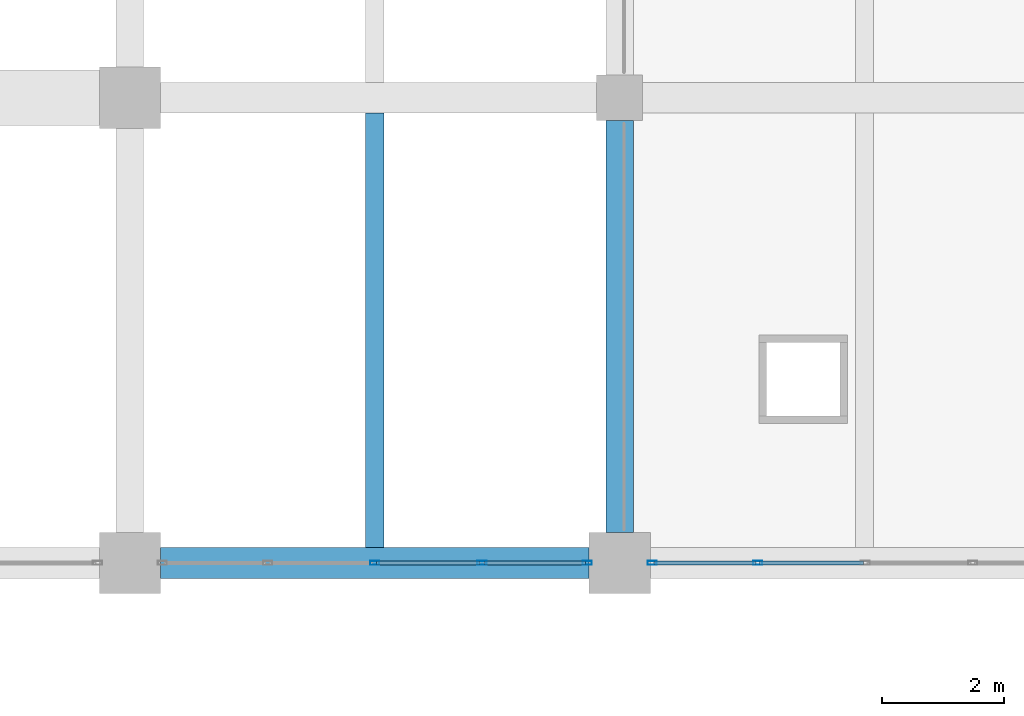
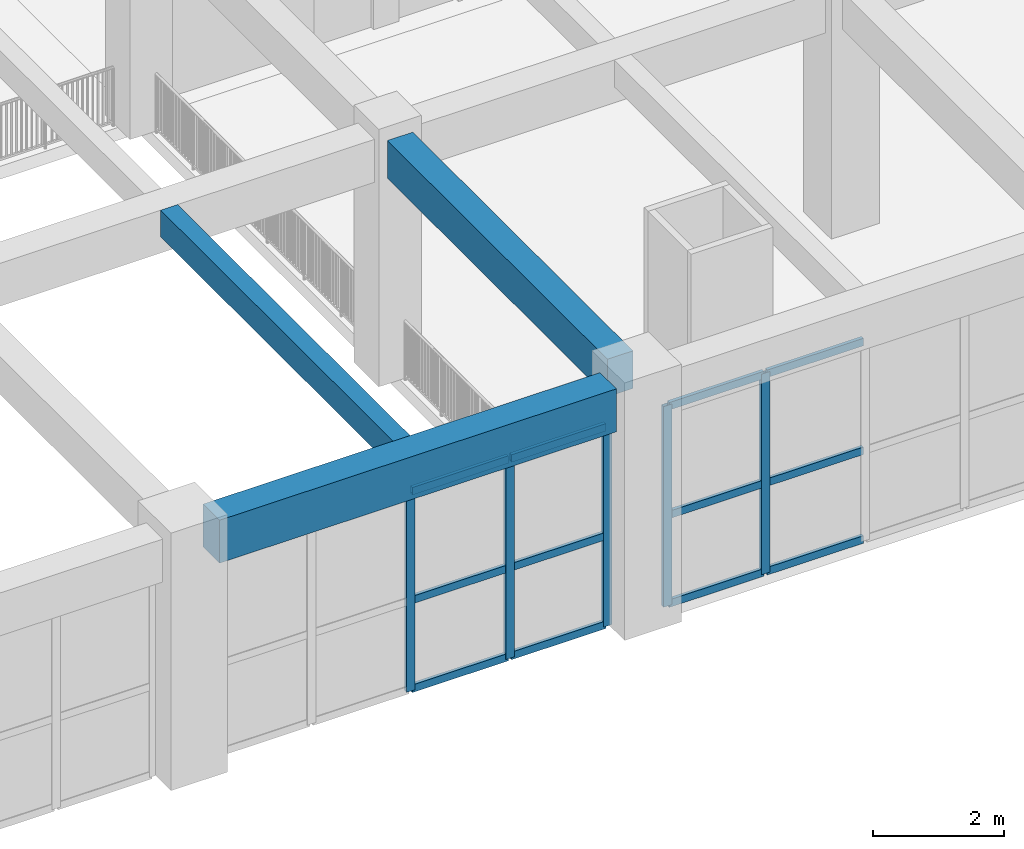
# One storey, part 23 of 101: 17 members, 3 beams, 2 elements without a shape of their own.
"""IFC4 building model written with IfcOpenShell, lengths in metres."""

from ifc_helpers import new_model, si_unit, direction, frame, origin, origin_2d, place, context, subcontext, project, spatial, rectangle, hollow_rectangle, extrude, material, material_profile, profile_set, type_object, element, aggregate, save


model = new_model("IFC4")

# Units and contexts
model_context = context("Model", 3, precision=1e-05, world=origin(), true_north=direction((0.0, 1.0)))
body_context = subcontext(model_context, "Body", "Model", "MODEL_VIEW")
ifc_project = project(units=[si_unit("LENGTHUNIT", "METRE"), si_unit("AREAUNIT", "SQUARE_METRE"), si_unit("VOLUMEUNIT", "CUBIC_METRE"), si_unit("PLANEANGLEUNIT", "RADIAN"), si_unit("MASSUNIT", "GRAM", prefix="KILO")], contexts=[model_context])

# Site, building, storey
site_placement = place(None, origin())
site = spatial("IfcSite", under=ifc_project, at=site_placement, CompositionType="ELEMENT")
building_placement = place(site_placement, origin())
building = spatial("IfcBuilding", under=site, at=building_placement, Name="Zantavel Square City Hall", CompositionType="ELEMENT")
storey_placement = place(building_placement, frame((0.0, 0.0, 5.39990234375)))
storey = spatial("IfcBuildingStorey", under=building, at=storey_placement, Name="L02", CompositionType="ELEMENT", Elevation=5.39990234375)

# Curtain wall, members
ifc_material_1 = material(Name="Anodised aluminium 6063-T6", Category="aluminium")
curtain_wall_type_1 = type_object("IfcCurtainWallType", Name="Curtain Wall TRV1 7025x3740", PredefinedType="USERDEFINED", material=ifc_material_1)
curtain_wall_1_placement = place(storey_placement, origin())
curtain_wall_1 = element("IfcCurtainWall", 1, at=curtain_wall_1_placement, inside=storey, type_object=curtain_wall_type_1, Name="L02 Glazed Curtain Wall CW-L02-045", ObjectType="GLAZED CURTAIN WALL", PredefinedType="USERDEFINED")
ifc_material_profile_1 = material_profile(ifc_material_1, hollow_rectangle(XDim=0.06494140625, YDim=0.14990234375, WallThickness=0.00390625, at=origin_2d()), Name="ALU 65x150x4")
ifc_profile_set_1 = profile_set([ifc_material_profile_1], Name="Anodised aluminium 6063-T6")
member_type_1 = type_object("IfcMemberType", Name="CW Mullion ALU 65x150x4", PredefinedType="MULLION", material=ifc_profile_set_1)
member_1_placement = place(storey_placement, frame((98.25634765625, 30.39990234375, 0.0), z_axis=(0.0, 0.0, 1.0), x_axis=(0.0, -1.0, 0.0)))
member_1 = element("IfcMember", 2, at=member_1_placement, type_object=member_type_1, Name="CW-045 mullion 4", PredefinedType="MULLION", context=body_context, shape_type="SweptSolid", body=[
    extrude(hollow_rectangle(XDim=0.06494140625, YDim=0.14990234375, WallThickness=0.00390625, at=origin_2d()), origin(), (0.0, 0.0, 1.0), 3.739990234375),
])
member_2_placement = place(storey_placement, frame((96.530029296875, 30.39990234375, 0.0), z_axis=(0.0, 0.0, 1.0), x_axis=(0.0, -1.0, 0.0)))
member_2 = element("IfcMember", 3, at=member_2_placement, type_object=member_type_1, Name="CW-045 mullion 5", PredefinedType="MULLION", context=body_context, shape_type="SweptSolid", body=[
    extrude(hollow_rectangle(XDim=0.06494140625, YDim=0.14990234375, WallThickness=0.00390625, at=origin_2d()), origin(), (0.0, 0.0, 1.0), 3.739990234375),
])

curtain_wall_type_2 = type_object("IfcCurtainWallType", Name="Curtain Wall TRV1 7000x3740", PredefinedType="USERDEFINED", material=ifc_material_1)
curtain_wall_2_placement = place(storey_placement, origin())
curtain_wall_2 = element("IfcCurtainWall", 4, at=curtain_wall_2_placement, inside=storey, type_object=curtain_wall_type_2, Name="L02 Glazed Curtain Wall CW-L02-046", ObjectType="GLAZED CURTAIN WALL", PredefinedType="USERDEFINED")
member_3_placement = place(storey_placement, frame((95.469970703125, 30.39990234375, 0.0), z_axis=(0.0, 0.0, 1.0), x_axis=(0.0, -1.0, 0.0)))
member_3 = element("IfcMember", 5, at=member_3_placement, type_object=member_type_1, Name="CW-046 mullion 1", PredefinedType="MULLION", context=body_context, shape_type="SweptSolid", body=[
    extrude(hollow_rectangle(XDim=0.06494140625, YDim=0.14990234375, WallThickness=0.00390625, at=origin_2d()), origin(), (0.0, 0.0, 1.0), 3.739990234375),
])
member_4_placement = place(storey_placement, frame((93.75, 30.39990234375, 0.0), z_axis=(0.0, 0.0, 1.0), x_axis=(0.0, -1.0, 0.0)))
member_4 = element("IfcMember", 6, at=member_4_placement, type_object=member_type_1, Name="CW-046 mullion 2", PredefinedType="MULLION", context=body_context, shape_type="SweptSolid", body=[
    extrude(hollow_rectangle(XDim=0.06494140625, YDim=0.14990234375, WallThickness=0.00390625, at=origin_2d()), origin(), (0.0, 0.0, 1.0), 3.739990234375),
])
member_5_placement = place(storey_placement, frame((92.0, 30.39990234375, 0.0), z_axis=(0.0, 0.0, 1.0), x_axis=(0.0, -1.0, 0.0)))
member_5 = element("IfcMember", 7, at=member_5_placement, type_object=member_type_1, Name="CW-046 mullion 3", PredefinedType="MULLION", context=body_context, shape_type="SweptSolid", body=[
    extrude(hollow_rectangle(XDim=0.06494140625, YDim=0.14990234375, WallThickness=0.00390625, at=origin_2d()), origin(), (0.0, 0.0, 1.0), 3.739990234375),
])

# Member
ifc_material_profile_2 = material_profile(ifc_material_1, hollow_rectangle(XDim=0.06005859375, YDim=0.139892578125, WallThickness=0.00390625, at=origin_2d()), Name="ALU 60x140x4")
ifc_profile_set_2 = profile_set([ifc_material_profile_2], Name="Anodised aluminium 6063-T6")
member_type_2 = type_object("IfcMemberType", Name="CW Transom ALU 60x140x4", PredefinedType="USERDEFINED", material=ifc_profile_set_2)
member_6_placement = place(storey_placement, frame((99.982421875, 30.39990234375, 0.030029296875), z_axis=(-1.0, 0.0, 0.0), x_axis=(0.0, -1.0, 0.0)))
member_6 = element("IfcMember", 8, at=member_6_placement, type_object=member_type_2, Name="CW-045 transom 3.1", ObjectType="TRANSOM", PredefinedType="USERDEFINED", context=body_context, shape_type="SweptSolid", body=[
    extrude(hollow_rectangle(XDim=0.06005859375, YDim=0.139892578125, WallThickness=0.00390625, at=origin_2d()), origin(), (0.0, 0.0, 1.0), 1.6962890625),
])

member_7_placement = place(storey_placement, frame((99.982421875, 30.39990234375, 1.68310546875), z_axis=(-1.0, 0.0, 0.0), x_axis=(0.0, -1.0, 0.0)))
member_7 = element("IfcMember", 9, at=member_7_placement, type_object=member_type_2, Name="CW-045 transom 3.2", ObjectType="TRANSOM", PredefinedType="USERDEFINED", context=body_context, shape_type="SweptSolid", body=[
    extrude(hollow_rectangle(XDim=0.06005859375, YDim=0.139892578125, WallThickness=0.00390625, at=origin_2d()), origin(), (0.0, 0.0, 1.0), 1.6962890625),
])

member_8_placement = place(storey_placement, frame((99.982421875, 30.39990234375, 3.710205078125), z_axis=(-1.0, 0.0, 0.0), x_axis=(0.0, -1.0, 0.0)))
member_8 = element("IfcMember", 10, at=member_8_placement, type_object=member_type_2, Name="CW-045 transom 3.3", ObjectType="TRANSOM", PredefinedType="USERDEFINED", context=body_context, shape_type="SweptSolid", body=[
    extrude(hollow_rectangle(XDim=0.06005859375, YDim=0.139892578125, WallThickness=0.00390625, at=origin_2d()), origin(), (0.0, 0.0, 1.0), 1.6962890625),
])

member_9_placement = place(storey_placement, frame((98.226318359375, 30.39990234375, 0.030029296875), z_axis=(-1.0, 0.0, 0.0), x_axis=(0.0, -1.0, 0.0)))
member_9 = element("IfcMember", 11, at=member_9_placement, type_object=member_type_2, Name="CW-045 transom 4.1", ObjectType="TRANSOM", PredefinedType="USERDEFINED", context=body_context, shape_type="SweptSolid", body=[
    extrude(hollow_rectangle(XDim=0.06005859375, YDim=0.139892578125, WallThickness=0.00390625, at=origin_2d()), origin(), (0.0, 0.0, 1.0), 1.666259765625),
])

member_10_placement = place(storey_placement, frame((98.226318359375, 30.39990234375, 1.68310546875), z_axis=(-1.0, 0.0, 0.0), x_axis=(0.0, -1.0, 0.0)))
member_10 = element("IfcMember", 12, at=member_10_placement, type_object=member_type_2, Name="CW-045 transom 4.2", ObjectType="TRANSOM", PredefinedType="USERDEFINED", context=body_context, shape_type="SweptSolid", body=[
    extrude(hollow_rectangle(XDim=0.06005859375, YDim=0.139892578125, WallThickness=0.00390625, at=origin_2d()), origin(), (0.0, 0.0, 1.0), 1.666259765625),
])

member_11_placement = place(storey_placement, frame((98.226318359375, 30.39990234375, 3.710205078125), z_axis=(-1.0, 0.0, 0.0), x_axis=(0.0, -1.0, 0.0)))
member_11 = element("IfcMember", 13, at=member_11_placement, type_object=member_type_2, Name="CW-045 transom 4.3", ObjectType="TRANSOM", PredefinedType="USERDEFINED", context=body_context, shape_type="SweptSolid", body=[
    extrude(hollow_rectangle(XDim=0.06005859375, YDim=0.139892578125, WallThickness=0.00390625, at=origin_2d()), origin(), (0.0, 0.0, 1.0), 1.666259765625),
])

aggregate(curtain_wall_1, [member_1, member_2, member_6, member_7, member_8, member_9, member_10, member_11])

member_12_placement = place(storey_placement, frame((95.43994140625, 30.39990234375, 0.030029296875), z_axis=(-1.0, 0.0, 0.0), x_axis=(0.0, -1.0, 0.0)))
member_12 = element("IfcMember", 14, at=member_12_placement, type_object=member_type_2, Name="CW-046 transom 1.1", ObjectType="TRANSOM", PredefinedType="USERDEFINED", context=body_context, shape_type="SweptSolid", body=[
    extrude(hollow_rectangle(XDim=0.06005859375, YDim=0.139892578125, WallThickness=0.00390625, at=origin_2d()), origin(), (0.0, 0.0, 1.0), 1.659912109375),
])

member_13_placement = place(storey_placement, frame((95.43994140625, 30.39990234375, 1.68310546875), z_axis=(-1.0, 0.0, 0.0), x_axis=(0.0, -1.0, 0.0)))
member_13 = element("IfcMember", 15, at=member_13_placement, type_object=member_type_2, Name="CW-046 transom 1.2", ObjectType="TRANSOM", PredefinedType="USERDEFINED", context=body_context, shape_type="SweptSolid", body=[
    extrude(hollow_rectangle(XDim=0.06005859375, YDim=0.139892578125, WallThickness=0.00390625, at=origin_2d()), origin(), (0.0, 0.0, 1.0), 1.659912109375),
])

member_14_placement = place(storey_placement, frame((95.43994140625, 30.39990234375, 3.710205078125), z_axis=(-1.0, 0.0, 0.0), x_axis=(0.0, -1.0, 0.0)))
member_14 = element("IfcMember", 16, at=member_14_placement, type_object=member_type_2, Name="CW-046 transom 1.3", ObjectType="TRANSOM", PredefinedType="USERDEFINED", context=body_context, shape_type="SweptSolid", body=[
    extrude(hollow_rectangle(XDim=0.06005859375, YDim=0.139892578125, WallThickness=0.00390625, at=origin_2d()), origin(), (0.0, 0.0, 1.0), 1.659912109375),
])

member_15_placement = place(storey_placement, frame((93.719970703125, 30.39990234375, 0.030029296875), z_axis=(-1.0, 0.0, 0.0), x_axis=(0.0, -1.0, 0.0)))
member_15 = element("IfcMember", 17, at=member_15_placement, type_object=member_type_2, Name="CW-046 transom 2.1", ObjectType="TRANSOM", PredefinedType="USERDEFINED", context=body_context, shape_type="SweptSolid", body=[
    extrude(hollow_rectangle(XDim=0.06005859375, YDim=0.139892578125, WallThickness=0.00390625, at=origin_2d()), origin(), (0.0, 0.0, 1.0), 1.68994140625),
])

member_16_placement = place(storey_placement, frame((93.719970703125, 30.39990234375, 1.68310546875), z_axis=(-1.0, 0.0, 0.0), x_axis=(0.0, -1.0, 0.0)))
member_16 = element("IfcMember", 18, at=member_16_placement, type_object=member_type_2, Name="CW-046 transom 2.2", ObjectType="TRANSOM", PredefinedType="USERDEFINED", context=body_context, shape_type="SweptSolid", body=[
    extrude(hollow_rectangle(XDim=0.06005859375, YDim=0.139892578125, WallThickness=0.00390625, at=origin_2d()), origin(), (0.0, 0.0, 1.0), 1.68994140625),
])

member_17_placement = place(storey_placement, frame((93.719970703125, 30.39990234375, 3.710205078125), z_axis=(-1.0, 0.0, 0.0), x_axis=(0.0, -1.0, 0.0)))
member_17 = element("IfcMember", 19, at=member_17_placement, type_object=member_type_2, Name="CW-046 transom 2.3", ObjectType="TRANSOM", PredefinedType="USERDEFINED", context=body_context, shape_type="SweptSolid", body=[
    extrude(hollow_rectangle(XDim=0.06005859375, YDim=0.139892578125, WallThickness=0.00390625, at=origin_2d()), origin(), (0.0, 0.0, 1.0), 1.68994140625),
])

aggregate(curtain_wall_2, [member_3, member_4, member_5, member_12, member_13, member_14, member_15, member_16, member_17])

# Beams
ifc_material_2 = material(Name="Concrete C35/45", Category="concrete")
ifc_material_profile_3 = material_profile(ifc_material_2, rectangle(XDim=0.300048828125, YDim=0.5, at=origin_2d()), Name="RC 300x500")
ifc_profile_set_3 = profile_set([ifc_material_profile_3], Name="Concrete C35/45")
beam_type_1 = type_object("IfcBeamType", Name="Floor Joist RC 300x500 C35/45", PredefinedType="JOIST", material=ifc_profile_set_3)
beam_1_placement = place(storey_placement, frame((92.0, 30.64990234375, 4.2900390625), z_axis=(0.0, 1.0, 0.0), x_axis=(-1.0, 0.0, 0.0)))
element("IfcBeam", 20, at=beam_1_placement, inside=storey, type_object=beam_type_1, Name="L02 Floor Joist JST-L02-0920-0304", PredefinedType="JOIST", context=body_context, shape_type="SweptSolid", body=[
    extrude(rectangle(XDim=0.300048828125, YDim=0.5, at=origin_2d()), origin(), (0.0, 0.0, 1.0), 7.10009765625),
])
ifc_material_profile_4 = material_profile(ifc_material_2, rectangle(XDim=0.449951171875, YDim=0.699951171875, at=origin_2d()), Name="RC 450x700")
ifc_profile_set_4 = profile_set([ifc_material_profile_4], Name="Concrete C35/45")
beam_type_2 = type_object("IfcBeamType", Name="Primary Girder RC 450x700 C35/45", PredefinedType="BEAM", material=ifc_profile_set_4)
beam_2_placement = place(storey_placement, frame((96.0, 30.89990234375, 4.190185546875), z_axis=(0.0, 1.0, 0.0), x_axis=(-1.0, 0.0, 0.0)))
element("IfcBeam", 21, at=beam_2_placement, inside=storey, type_object=beam_type_2, Name="L02 Beam BMY-L02-0960-0304", PredefinedType="BEAM", context=body_context, shape_type="SweptSolid", body=[
    extrude(rectangle(XDim=0.449951171875, YDim=0.699951171875, at=origin_2d()), origin(), (0.0, 0.0, 1.0), 6.72509765625),
])
ifc_material_profile_5 = material_profile(ifc_material_2, rectangle(XDim=0.5, YDim=0.800048828125, at=origin_2d()), Name="RC 500x800")
ifc_profile_set_5 = profile_set([ifc_material_profile_5], Name="Concrete C35/45")
beam_type_3 = type_object("IfcBeamType", Name="Primary Girder RC 500x800 C35/45", PredefinedType="BEAM", material=ifc_profile_set_5)
beam_3_placement = place(storey_placement, frame((88.5, 30.39990234375, 4.14013671875), z_axis=(1.0, 0.0, 0.0), x_axis=(0.0, 1.0, 0.0)))
element("IfcBeam", 22, at=beam_3_placement, inside=storey, type_object=beam_type_3, Name="L02 Girder BMX-L02-0880-0304", PredefinedType="BEAM", context=body_context, shape_type="SweptSolid", body=[
    extrude(rectangle(XDim=0.5, YDim=0.800048828125, at=origin_2d()), origin(), (0.0, 0.0, 1.0), 7.0),
])

save(model, "model.ifc")
